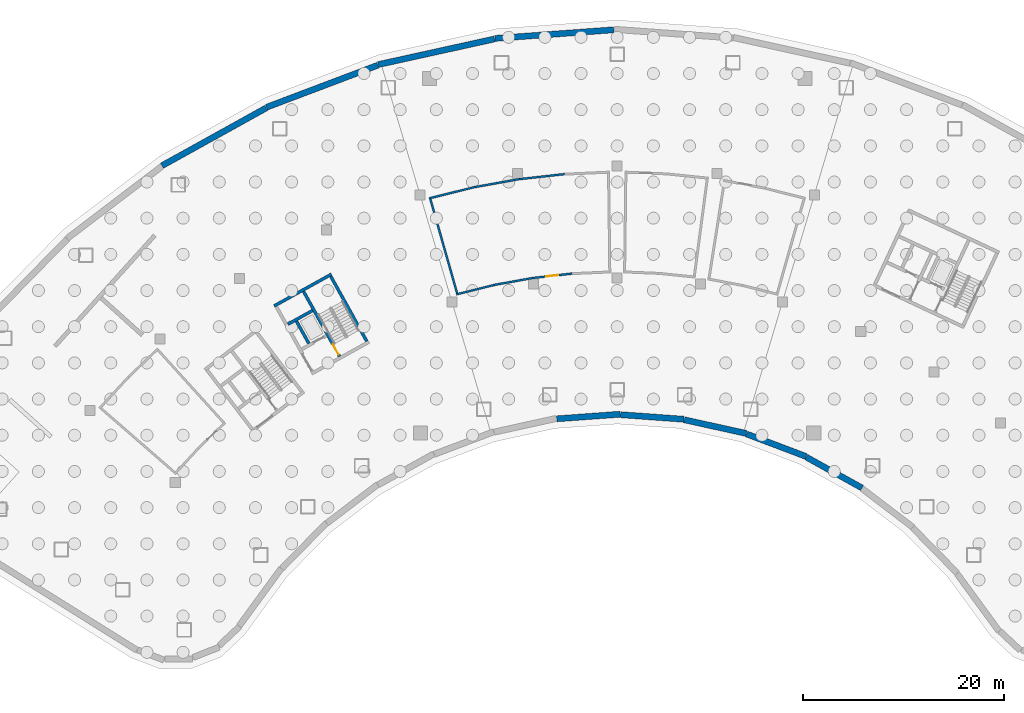
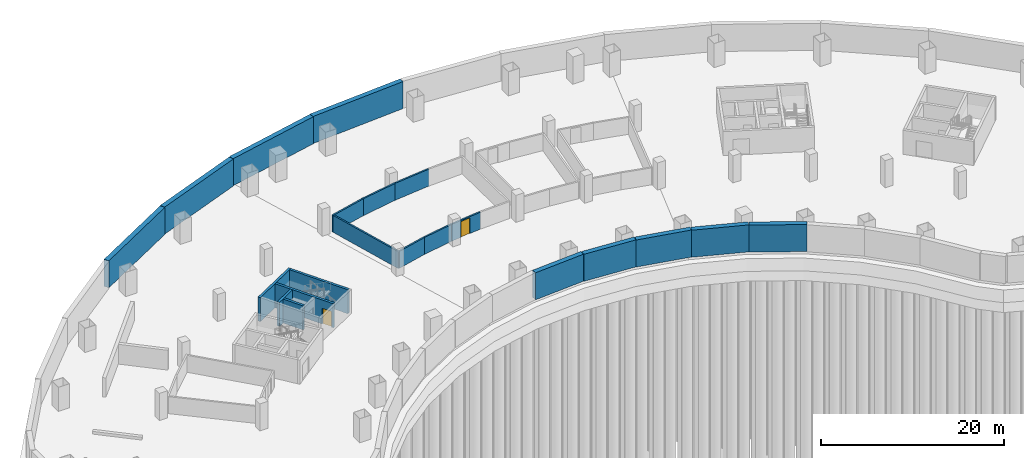
# One storey, part 5 of 10: 21 walls, 2 doors, 2 openings.
"""IFC4 building model written with IfcOpenShell, lengths in metres."""

import ifcopenshell
import ifcopenshell.guid

model = None  # the IFC model being written
_history = None  # IfcOwnerHistory: only IFC2X3 demands one
_inside = {}  # id of a spatial element -> (the spatial element, [elements in it])
_under = {}  # id of a project, library or spatial element -> (it, [spatial elements below it])
_declared = {}  # id of a project -> (the project, [libraries it declares])
_typed = {}  # id of a type object -> (the type object, [elements of that type])
_made_of = {}  # id of a material, layer set ... -> (it, [elements and type objects made of it])


def new_model(schema):
    """Start an empty IFC model of exactly this schema.

    Asked for "IFC4X3", IfcOpenShell would pick the latest addendum, in which some entities
    have other attributes; the version numbers below select the first issue.
    IFC2X3 requires an IfcOwnerHistory on every rooted entity: one is made here for all.
    """
    global model, _history
    if schema == "IFC4X3":
        model = ifcopenshell.file(schema_version=(4, 3, 0, 0))
    else:
        model = ifcopenshell.file(schema=schema)
    _inside.clear()
    _under.clear()
    _declared.clear()
    _typed.clear()
    _made_of.clear()
    _history = None
    if model.schema == "IFC2X3":
        org = make("IfcOrganization", Name="unknown")
        user = make(
            "IfcPersonAndOrganization",
            ThePerson=make("IfcPerson", FamilyName="unknown"),
            TheOrganization=org,
        )
        app = make(
            "IfcApplication",
            ApplicationDeveloper=org,
            Version="unknown",
            ApplicationFullName="unknown",
            ApplicationIdentifier="unknown",
        )
        _history = make(
            "IfcOwnerHistory",
            OwningUser=user,
            OwningApplication=app,
            ChangeAction="ADDED",
            CreationDate=0,
        )
    return model


def make(cls, **values):
    """One entity of the class cls with the attributes given. An attribute that is None is left unset."""
    return model.create_entity(
        cls, **{name: value for name, value in values.items() if value is not None}
    )


def rooted(cls, **values):
    """An entity with a GlobalId (a new one), such as an element, a storey or a relation."""
    return make(cls, GlobalId=ifcopenshell.guid.new(), OwnerHistory=_history, **values)


def si_unit(unit_type, name, prefix=None):
    """IfcSIUnit, for example si_unit("LENGTHUNIT", "METRE", prefix="MILLI")."""
    return make("IfcSIUnit", UnitType=unit_type, Prefix=prefix, Name=name)


def assignment(units):
    """IfcUnitAssignment: the units of a project."""
    return None if units is None else make("IfcUnitAssignment", Units=units)


def point(xyz):
    """IfcCartesianPoint."""
    return None if xyz is None else make("IfcCartesianPoint", Coordinates=xyz)


def direction(xyz):
    """IfcDirection."""
    return None if xyz is None else make("IfcDirection", DirectionRatios=xyz)


def frame(location, z_axis=None, x_axis=None):
    """IfcAxis2Placement3D, a coordinate frame: its origin and axes. An axis left out is left unset."""
    return make(
        "IfcAxis2Placement3D",
        Location=point(location),
        Axis=direction(z_axis),
        RefDirection=direction(x_axis),
    )


def frame_2d(location, x_axis=None):
    """IfcAxis2Placement2D, a coordinate frame in the plane: its origin and x axis."""
    return make(
        "IfcAxis2Placement2D", Location=point(location), RefDirection=direction(x_axis)
    )


def origin():
    """The frame at (0, 0, 0) with its axes left unset."""
    return frame((0.0, 0.0, 0.0))


def place(relative_to, where):
    """IfcLocalPlacement: puts the frame where relative to a parent placement (None: the world)."""
    return make(
        "IfcLocalPlacement", PlacementRelTo=relative_to, RelativePlacement=where
    )


def context(
    kind, dimensions, precision=None, world=None, true_north=None, identifier=None
):
    """IfcGeometricRepresentationContext, for example the 3D "Model" context."""
    return make(
        "IfcGeometricRepresentationContext",
        ContextIdentifier=identifier,
        ContextType=kind,
        CoordinateSpaceDimension=dimensions,
        Precision=precision,
        WorldCoordinateSystem=world,
        TrueNorth=true_north,
    )


def subcontext(parent, identifier, kind, view, scale=None):
    """IfcGeometricRepresentationSubContext, for example "Body" below "Model"."""
    return make(
        "IfcGeometricRepresentationSubContext",
        ContextIdentifier=identifier,
        ContextType=kind,
        ParentContext=parent,
        TargetScale=scale,
        TargetView=view,
    )


def project(units=None, contexts=None):
    """IfcProject with its units and contexts."""
    return rooted(
        "IfcProject",
        Name="project",
        RepresentationContexts=contexts,
        UnitsInContext=assignment(units),
    )


def spatial(cls, under=None, at=None, **own):
    """A site, building, storey or space (cls), placed at a placement, below another one or the project."""
    s = rooted(cls, ObjectPlacement=at, **own)
    if under is not None:
        _under.setdefault(under.id(), (under, []))[1].append(s)
    return s


def profile(cls, at=None, kind="AREA", **sizes):
    """A parametric profile (cls). Its sizes go by their IFC names, for example OverallWidth=200.0."""
    return make(cls, ProfileType=kind, Position=at, **sizes)


def rectangle(**sizes):
    """IfcRectangleProfileDef."""
    return profile("IfcRectangleProfileDef", **sizes)


def extrude(swept, where, along, depth):
    """IfcExtrudedAreaSolid: the profile swept, set in the frame where, extruded along a direction by depth."""
    return make(
        "IfcExtrudedAreaSolid",
        SweptArea=swept,
        Position=where,
        ExtrudedDirection=direction(along),
        Depth=depth,
    )


def shape(context_of_items, identifier, shape_type, items):
    """IfcShapeRepresentation: the items that make up one representation, for example the "Body"."""
    return make(
        "IfcShapeRepresentation",
        ContextOfItems=context_of_items,
        RepresentationIdentifier=identifier,
        RepresentationType=shape_type,
        Items=items,
    )


def material(Name=None, Category=None):
    """IfcMaterial."""
    return make("IfcMaterial", Name=Name, Category=Category)


def layer(
    of_material, thickness, ventilated=None, Name=None, Category=None, Priority=None
):
    """IfcMaterialLayer: one layer of a wall or slab, of a material (None: an air gap)."""
    return make(
        "IfcMaterialLayer",
        Material=of_material,
        LayerThickness=thickness,
        IsVentilated=ventilated,
        Name=Name,
        Category=Category,
        Priority=Priority,
    )


def layer_set(layers, Name=None):
    """IfcMaterialLayerSet."""
    return make("IfcMaterialLayerSet", MaterialLayers=layers, LayerSetName=Name)


def made_of(thing, what):
    """Note that an element or type object is made of a material, layer set ...; save() writes the relation."""
    if what is not None:
        _made_of.setdefault(what.id(), (what, []))[1].append(thing)
    return thing


def type_object(cls, material=None, **own):
    """A type object (cls), such as IfcWallType, which elements share."""
    return made_of(rooted(cls, **own), material)


def element(
    cls,
    number,
    at=None,
    inside=None,
    cuts=None,
    type_object=None,
    material=None,
    context=None,
    identifier="Body",
    shape_type=None,
    held_by="IfcProductDefinitionShape",
    body=None,
    shapes=None,
    **own,
):
    """One element of the class cls, such as IfcWall. Its Tag is "e" and its number.

    at: its placement. inside: the storey or other place that contains it. cuts: it is an
    opening in that element (IfcRelVoidsElement). A single representation is given by context,
    identifier, shape_type and body (its items); several are given by shapes. held_by: the class
    of the entity that holds the representations. save() writes the other relations.
    """
    e = rooted(cls, Tag="e%d" % number, ObjectPlacement=at, **own)
    if body is not None:
        shapes = [shape(context, identifier, shape_type, body)]
    if shapes is not None:
        e.Representation = make(held_by, Representations=shapes)
    if inside is not None:
        _inside.setdefault(inside.id(), (inside, []))[1].append(e)
    if cuts is not None:
        rooted(
            "IfcRelVoidsElement", RelatingBuildingElement=cuts, RelatedOpeningElement=e
        )
    if type_object is not None:
        _typed.setdefault(type_object.id(), (type_object, []))[1].append(e)
    return made_of(e, material)


def fill(opening, filler):
    """IfcRelFillsElement: the door or window that sits in an opening."""
    return rooted(
        "IfcRelFillsElement",
        RelatingOpeningElement=opening,
        RelatedBuildingElement=filler,
    )


def aggregate(whole, parts):
    """IfcRelAggregates: a whole, such as a stair, and the parts it consists of."""
    return rooted("IfcRelAggregates", RelatingObject=whole, RelatedObjects=parts)


def save(model, path):
    """Write the relations noted so far, then the file.

    IfcRelAggregates (storeys below a building ...), IfcRelContainedInSpatialStructure (elements
    in a storey), IfcRelDefinesByType, IfcRelAssociatesMaterial and IfcRelDeclares: one each for
    every whole, place, type object, material and project.
    """
    for whole, parts in _under.values():
        aggregate(whole, parts)
    for where, things in _inside.values():
        rooted(
            "IfcRelContainedInSpatialStructure",
            RelatedElements=things,
            RelatingStructure=where,
        )
    for kind, things in _typed.values():
        rooted("IfcRelDefinesByType", RelatedObjects=things, RelatingType=kind)
    for what, things in _made_of.values():
        rooted("IfcRelAssociatesMaterial", RelatedObjects=things, RelatingMaterial=what)
    for by, libraries in _declared.values():
        rooted("IfcRelDeclares", RelatingContext=by, RelatedDefinitions=libraries)
    model.write(path)


model = new_model("IFC4")

# Units and contexts
model_context = context("Model", 3, precision=1e-05, world=origin(), true_north=direction((0.0, 1.0)))
body_context = subcontext(model_context, "Body", "Model", "MODEL_VIEW")
ifc_project = project(units=[si_unit("LENGTHUNIT", "METRE"), si_unit("AREAUNIT", "SQUARE_METRE"), si_unit("VOLUMEUNIT", "CUBIC_METRE"), si_unit("PLANEANGLEUNIT", "RADIAN"), si_unit("MASSUNIT", "GRAM", prefix="KILO")], contexts=[model_context])

# Site, building, storey
site_placement = place(None, origin())
site = spatial("IfcSite", under=ifc_project, at=site_placement, CompositionType="ELEMENT")
building_placement = place(site_placement, origin())
building = spatial("IfcBuilding", under=site, at=building_placement, Name="Tuul Gate Civic Tower", CompositionType="ELEMENT")
storey_placement = place(building_placement, frame((0.0, 0.0, -11.699951171875)))
storey = spatial("IfcBuildingStorey", under=building, at=storey_placement, Name="Basement 3", CompositionType="ELEMENT", Elevation=-11.699951171875)

# Walls
ifc_material_1 = material(Name="Concrete block", Category="concrete")
ifc_layer_1 = layer(ifc_material_1, 0.199951171875)
ifc_layer_set_1 = layer_set([ifc_layer_1], Name="Concrete block")
wall_type_1 = type_object("IfcWallType", Name="Basement room wall EI 120", PredefinedType="PARTITIONING", material=ifc_layer_set_1)
for number, where, z_axis, x_axis, name in (
    (1, (-18.715576171875, 5.56982421875, 0.0), (0.0, 0.0, 1.0), (0.970480863672, 0.24117813592, 0.0), "Room wall"),
    (2, (-14.351806640625, 6.6611328125, 0.0), (0.0, 0.0, 1.0), (0.984266572601, 0.176689881037, 0.0), "Room wall"),
    (3, (-9.925537109375, 7.46240234375, 0.0), (0.0, 0.0, 1.0), (0.993779358968, 0.111366896735, 0.0), "Room wall"),
):
    element("IfcWall", number, at=place(storey_placement, frame(where, z_axis=z_axis, x_axis=x_axis)), inside=storey, type_object=wall_type_1, Name=name, PredefinedType="PARTITIONING", context=body_context, shape_type="SweptSolid", body=[
        extrude(rectangle(XDim=4.697998046875, YDim=0.199951171875, at=frame_2d((2.34912109375, 0.0))), origin(), (0.0, 0.0, 1.0), 2.25),
    ])

# Wall, opening, door
wall_1_placement = place(storey_placement, frame((-4.476806640625, -1.91259765625, 0.0), z_axis=(0.0, 0.0, 1.0), x_axis=(-0.993774261055, -0.111412378419, 0.0)))
wall_1 = element("IfcWall", 4, at=wall_1_placement, inside=storey, type_object=wall_type_1, Name="Room wall", PredefinedType="PARTITIONING", context=body_context, shape_type="SweptSolid", body=[
    extrude(rectangle(XDim=4.04296875, YDim=0.199951171875, at=frame_2d((2.021484375, 0.0))), origin(), (0.0, 0.0, 1.0), 2.25),
])
opening_1_placement = place(wall_1_placement, frame((1.421630859375, 0.0, 0.0)))
opening_1 = element("IfcOpeningElement", 5, at=opening_1_placement, cuts=wall_1, Name="Opening PD", PredefinedType="OPENING", context=body_context, shape_type="SweptSolid", body=[
    extrude(rectangle(XDim=1.199951171875, YDim=2.10009765625, at=frame_2d((0.60009765625, 1.050048828125))), frame((0.0, 0.10986328125, 0.0), z_axis=(0.0, -1.0, 0.0), x_axis=(1.0, 0.0, 0.0)), (0.0, 0.0, 1.0), 0.219970703125),
])
ifc_material_2 = material(Name="Steel door", Category="steel")
door_type_1 = type_object("IfcDoorType", Name="Plant room door", OperationType="DOUBLE_DOOR_SINGLE_SWING", PredefinedType="DOOR", material=ifc_material_2)
door_1_placement = place(opening_1_placement, origin())
door_1 = element("IfcDoor", 6, at=door_1_placement, inside=storey, type_object=door_type_1, Name="Door", OperationType="DOUBLE_DOOR_SINGLE_SWING", OverallHeight=2.10009765625, OverallWidth=1.199951171875, PredefinedType="DOOR", context=body_context, shape_type="SweptSolid", body=[
    extrude(rectangle(XDim=1.199951171875, YDim=2.10009765625, at=frame_2d((0.60009765625, 1.050048828125))), frame((0.0, 0.02490234375, 0.0), z_axis=(0.0, -1.0, 0.0), x_axis=(1.0, 0.0, 0.0)), (0.0, 0.0, 1.0), 0.050048828125),
])
fill(opening_1, door_1)

# Walls
for number, where, z_axis, x_axis, name in (
    (7, (-8.296875, -2.334228515625, 0.0), (0.0, 0.0, 1.0), (-0.984277937108, -0.176626562334, 0.0), "Room wall"),
    (8, (-12.080810546875, -3.006591796875, 0.0), (0.0, 0.0, 1.0), (-0.970479017696, -0.241185563853, 0.0), "Room wall"),
):
    element("IfcWall", number, at=place(storey_placement, frame(where, z_axis=z_axis, x_axis=x_axis)), inside=storey, type_object=wall_type_1, Name=name, PredefinedType="PARTITIONING", context=body_context, shape_type="SweptSolid", body=[
        extrude(rectangle(XDim=4.04296875, YDim=0.199951171875, at=frame_2d((2.021484375, 0.0))), origin(), (0.0, 0.0, 1.0), 2.25),
    ])
wall_2_placement = place(storey_placement, frame((-15.880126953125, -4.053955078125, 0.0), z_axis=(0.0, 0.0, 1.0), x_axis=(-0.273062164325, 0.961996390021, 0.0)))
element("IfcWall", 9, at=wall_2_placement, inside=storey, type_object=wall_type_1, Name="Room wall", PredefinedType="PARTITIONING", context=body_context, shape_type="SweptSolid", body=[
    extrude(rectangle(XDim=10.129150390625, YDim=0.199951171875, at=frame_2d((5.064453125, 0.0))), origin(), (0.0, 0.0, 1.0), 2.25),
])
ifc_material_3 = material(Name="Concrete C50/60", Category="concrete")
ifc_layer_2 = layer(ifc_material_3, 0.300048828125)
ifc_layer_set_2 = layer_set([ifc_layer_2], Name="Concrete C50/60")
wall_type_2 = type_object("IfcWallType", Name="Core wall C50/60", PredefinedType="SHEAR", material=ifc_layer_set_2)
wall_3_placement = place(storey_placement, frame((-30.327392578125, -5.59716796875, 0.0), z_axis=(0.0, 0.0, 1.0), x_axis=(-0.874629840737, -0.484791338301, 0.0)))
element("IfcWall", 10, at=wall_3_placement, inside=storey, type_object=wall_type_2, Name="Core wall", PredefinedType="SHEAR", context=body_context, shape_type="SweptSolid", body=[
    extrude(rectangle(XDim=2.800048828125, YDim=0.300048828125, at=frame_2d((1.39990234375, 0.0))), origin(), (0.0, 0.0, 1.0), 3.199951171875),
])
wall_4_placement = place(storey_placement, frame((-28.4443359375, -1.98095703125, 0.0), z_axis=(0.0, 0.0, 1.0), x_axis=(-0.874629909008, -0.484791215132, 0.0)))
element("IfcWall", 11, at=wall_4_placement, inside=storey, type_object=wall_type_2, Name="Core wall", PredefinedType="SHEAR", context=body_context, shape_type="SweptSolid", body=[
    extrude(rectangle(XDim=6.5, YDim=0.300048828125, at=frame_2d((3.25, 0.0))), origin(), (0.0, 0.0, 1.0), 3.199951171875),
])
wall_5_placement = place(storey_placement, frame((-24.91552734375, -8.6572265625, 0.0), z_axis=(0.0, 0.0, 1.0), x_axis=(-0.484777133038, 0.874637714304, 0.0)))
element("IfcWall", 12, at=wall_5_placement, inside=storey, type_object=wall_type_2, Name="Core wall", PredefinedType="SHEAR", context=body_context, shape_type="SweptSolid", body=[
    extrude(rectangle(XDim=7.400146484375, YDim=0.300048828125, at=frame_2d((3.7001953125, 0.0))), origin(), (0.0, 0.0, 1.0), 3.199951171875),
])

# Wall, opening, door
wall_6_placement = place(storey_placement, frame((-27.626953125, -10.16015625, 0.0), z_axis=(0.0, 0.0, 1.0), x_axis=(-0.484751894226, 0.874651702704, 0.0)))
wall_6 = element("IfcWall", 13, at=wall_6_placement, inside=storey, type_object=wall_type_2, Name="Core wall", PredefinedType="SHEAR", context=body_context, shape_type="SweptSolid", body=[
    extrude(rectangle(XDim=7.39990234375, YDim=0.300048828125, at=frame_2d((3.699951171875, 0.0))), origin(), (0.0, 0.0, 1.0), 3.199951171875),
])
opening_2_placement = place(wall_6_placement, frame((0.199951171875, 0.0, 0.0)))
opening_2 = element("IfcOpeningElement", 14, at=opening_2_placement, cuts=wall_6, Name="Opening SD-ST-2", PredefinedType="OPENING", context=body_context, shape_type="SweptSolid", body=[
    extrude(rectangle(XDim=1.199951171875, YDim=2.10009765625, at=frame_2d((0.60009765625, 1.050048828125))), frame((0.0, 0.16015625, 0.0), z_axis=(0.0, -1.0, 0.0), x_axis=(1.0, 0.0, 0.0)), (0.0, 0.0, 1.0), 0.320068359375),
])
ifc_material_4 = material(Name="Steel", Category="steel")
door_type_2 = type_object("IfcDoorType", Name="Stair door", OperationType="NOTDEFINED", PredefinedType="DOOR", material=ifc_material_4)
door_2_placement = place(opening_2_placement, origin())
door_2 = element("IfcDoor", 15, at=door_2_placement, inside=storey, type_object=door_type_2, Name="Stair door ST-2", OperationType="SINGLE_SWING_LEFT", OverallHeight=2.10009765625, OverallWidth=1.199951171875, PredefinedType="DOOR", context=body_context, shape_type="SweptSolid", body=[
    extrude(rectangle(XDim=1.199951171875, YDim=2.10009765625, at=frame_2d((0.60009765625, 1.050048828125))), frame((0.0, 0.02490234375, 0.0), z_axis=(0.0, -1.0, 0.0), x_axis=(1.0, 0.0, 0.0)), (0.0, 0.0, 1.0), 0.050048828125),
])
fill(opening_2, door_2)

# Walls
wall_7_placement = place(storey_placement, frame((-30.680419921875, -8.8798828125, 0.0), z_axis=(0.0, 0.0, 1.0), x_axis=(-0.484724115216, 0.874667097888, 0.0)))
element("IfcWall", 16, at=wall_7_placement, inside=storey, type_object=wall_type_2, Name="Core wall", PredefinedType="SHEAR", context=body_context, shape_type="SweptSolid", body=[
    extrude(rectangle(XDim=2.550048828125, YDim=0.300048828125, at=frame_2d((1.27490234375, 0.0))), origin(), (0.0, 0.0, 1.0), 3.199951171875),
])
ifc_material_5 = material(Name="Concrete C40/50", Category="concrete")
ifc_layer_3 = layer(ifc_material_5, 0.60009765625)
ifc_layer_set_3 = layer_set([ifc_layer_3], Name="Concrete C40/50")
wall_type_3 = type_object("IfcWallType", Name="STR-BASEMENT-WALL-600", PredefinedType="SOLIDWALL", material=ifc_layer_set_3)
wall_8_placement = place(storey_placement, frame((-0.3408203125, 22.346435546875, 0.0), z_axis=(0.0, 0.0, 1.0), x_axis=(-0.99738449488, -0.072278415685, 0.0)))
element("IfcWall", 17, at=wall_8_placement, inside=storey, type_object=wall_type_3, Name="Retaining wall", PredefinedType="SOLIDWALL", context=body_context, shape_type="SweptSolid", body=[
    extrude(rectangle(XDim=11.859375, YDim=0.60009765625, at=frame_2d((5.9296875, 0.0))), origin(), (0.0, 0.0, 1.0), 3.599853515625),
])
wall_9_placement = place(storey_placement, frame((-12.20361328125, 21.4375, 0.0), z_axis=(0.0, 0.0, 1.0), x_axis=(-0.976558083029, -0.21525406029, 0.0)))
element("IfcWall", 18, at=wall_9_placement, inside=storey, type_object=wall_type_3, Name="Retaining wall", PredefinedType="SOLIDWALL", context=body_context, shape_type="SweptSolid", body=[
    extrude(rectangle(XDim=11.8603515625, YDim=0.60009765625, at=frame_2d((5.93017578125, 0.0))), origin(), (0.0, 0.0, 1.0), 3.599853515625),
])
wall_10_placement = place(storey_placement, frame((-23.8125, 18.828125, 0.0), z_axis=(0.0, 0.0, 1.0), x_axis=(-0.935370574705, -0.353669178719, 0.0)))
element("IfcWall", 19, at=wall_10_placement, inside=storey, type_object=wall_type_3, Name="Retaining wall", PredefinedType="SOLIDWALL", context=body_context, shape_type="SweptSolid", body=[
    extrude(rectangle(XDim=11.859375, YDim=0.60009765625, at=frame_2d((5.9296875, 0.0))), origin(), (0.0, 0.0, 1.0), 3.599853515625),
])
wall_11_placement = place(storey_placement, frame((-34.923828125, 14.574462890625, 0.0), z_axis=(0.0, 0.0, 1.0), x_axis=(-0.874605516803, -0.484835219407, 0.0)))
element("IfcWall", 20, at=wall_11_placement, inside=storey, type_object=wall_type_3, Name="Retaining wall", PredefinedType="SOLIDWALL", context=body_context, shape_type="SweptSolid", body=[
    extrude(rectangle(XDim=11.859619140625, YDim=0.60009765625, at=frame_2d((5.9296875, 0.0))), origin(), (0.0, 0.0, 1.0), 3.599853515625),
])
wall_12_placement = place(storey_placement, frame((-6.01025390625, -16.365234375, 0.0), z_axis=(0.0, 0.0, 1.0), x_axis=(0.997389672228, 0.07220693688, 0.0)))
element("IfcWall", 21, at=wall_12_placement, inside=storey, type_object=wall_type_3, Name="Retaining wall", PredefinedType="SOLIDWALL", context=body_context, shape_type="SweptSolid", body=[
    extrude(rectangle(XDim=6.326171875, YDim=0.60009765625, at=frame_2d((3.1630859375, 0.0))), origin(), (0.0, 0.0, 1.0), 3.599853515625),
])
wall_13_placement = place(storey_placement, frame((0.3408203125, -15.95458984375, 0.0), z_axis=(0.0, 0.0, 1.0), x_axis=(0.997386690669, -0.072248109157, 0.0)))
element("IfcWall", 22, at=wall_13_placement, inside=storey, type_object=wall_type_3, Name="Retaining wall", PredefinedType="SOLIDWALL", context=body_context, shape_type="SweptSolid", body=[
    extrude(rectangle(XDim=6.325927734375, YDim=0.60009765625, at=frame_2d((3.1630859375, 0.0))), origin(), (0.0, 0.0, 1.0), 3.599853515625),
])
wall_14_placement = place(storey_placement, frame((6.6845703125, -16.463623046875, 0.0), z_axis=(0.0, 0.0, 1.0), x_axis=(0.97658498235, -0.215131987971, 0.0)))
element("IfcWall", 23, at=wall_14_placement, inside=storey, type_object=wall_type_3, Name="Retaining wall", PredefinedType="SOLIDWALL", context=body_context, shape_type="SweptSolid", body=[
    extrude(rectangle(XDim=6.32568359375, YDim=0.60009765625, at=frame_2d((3.162841796875, 0.0))), origin(), (0.0, 0.0, 1.0), 3.599853515625),
])
wall_15_placement = place(storey_placement, frame((12.888427734375, -17.880859375, 0.0), z_axis=(0.0, 0.0, 1.0), x_axis=(0.93537253931, -0.353663982764, 0.0)))
element("IfcWall", 24, at=wall_15_placement, inside=storey, type_object=wall_type_3, Name="Retaining wall", PredefinedType="SOLIDWALL", context=body_context, shape_type="SweptSolid", body=[
    extrude(rectangle(XDim=6.326171875, YDim=0.60009765625, at=frame_2d((3.1630859375, 0.0))), origin(), (0.0, 0.0, 1.0), 3.599853515625),
])
wall_16_placement = place(storey_placement, frame((18.82373046875, -20.177490234375, 0.0), z_axis=(0.0, 0.0, 1.0), x_axis=(0.874651922409, -0.484751497807, 0.0)))
element("IfcWall", 25, at=wall_16_placement, inside=storey, type_object=wall_type_3, Name="Retaining wall", PredefinedType="SOLIDWALL", context=body_context, shape_type="SweptSolid", body=[
    extrude(rectangle(XDim=6.32666015625, YDim=0.60009765625, at=frame_2d((3.163330078125, 0.0))), origin(), (0.0, 0.0, 1.0), 3.599853515625),
])

save(model, "model.ifc")
